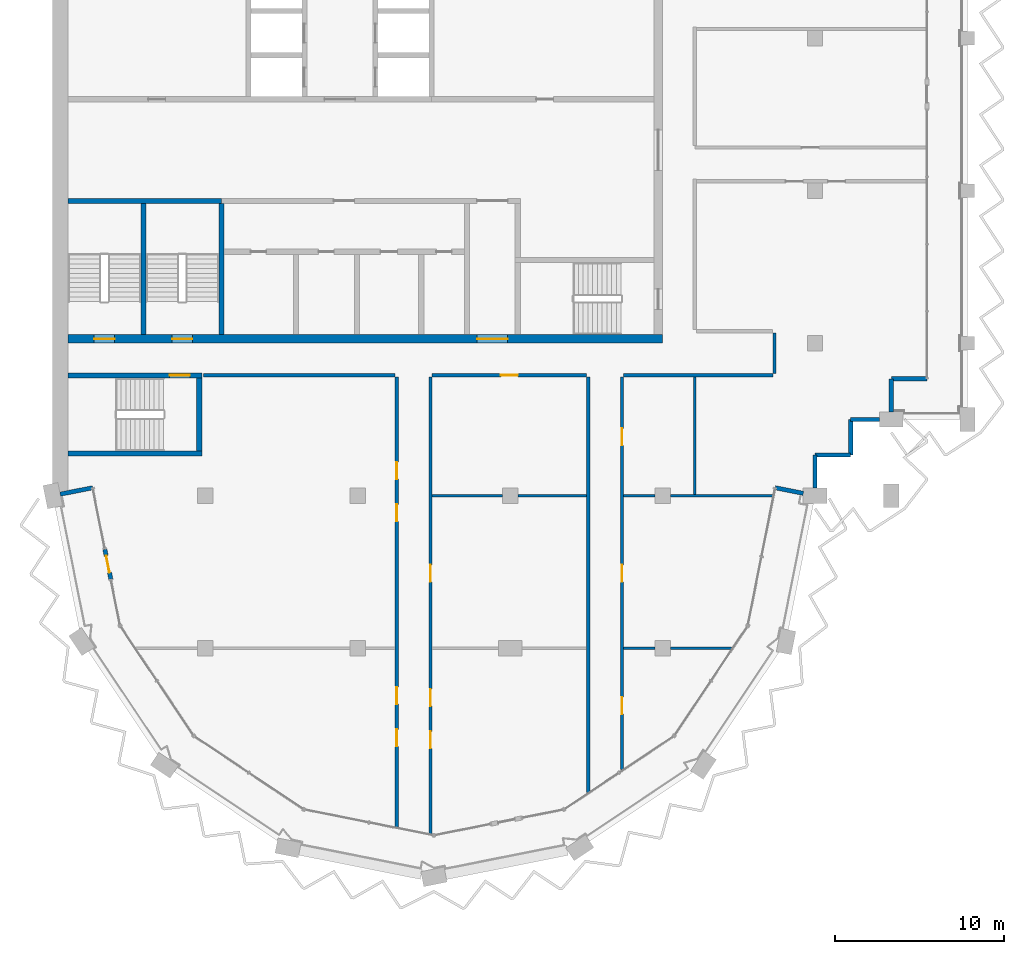
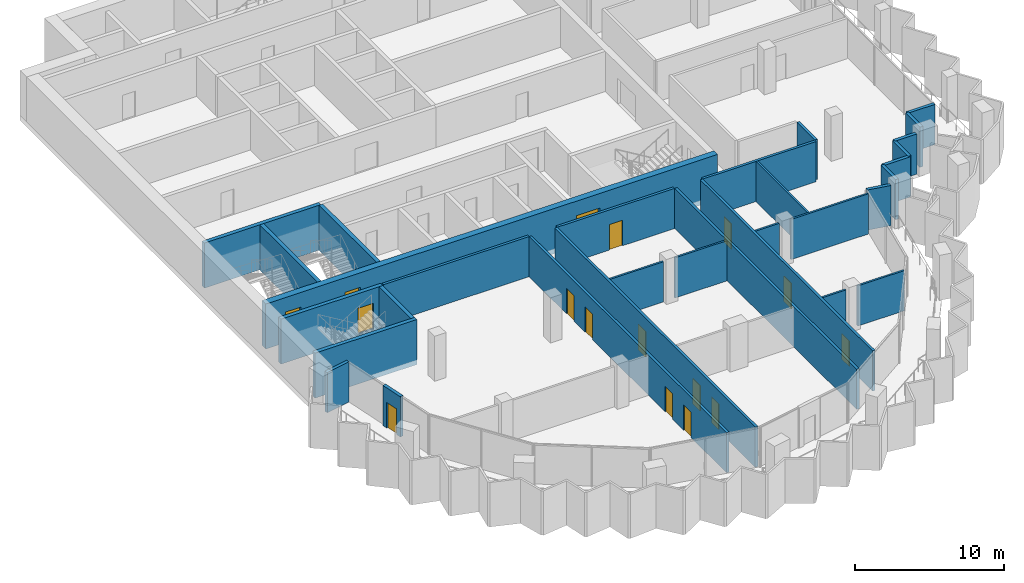
# One storey, part 6 of 13: 31 walls, 16 doors, 16 openings.
"""IFC4 building model written with IfcOpenShell, lengths in metres."""

from ifc_helpers import new_model, si_unit, direction, frame, frame_2d, origin, place, context, subcontext, project, spatial, rectangle, extrude, material, layer, layer_set, type_object, element, fill, save


model = new_model("IFC4")

# Units and contexts
model_context = context("Model", 3, precision=1e-05, world=origin(), true_north=direction((0.0, 1.0)))
body_context = subcontext(model_context, "Body", "Model", "MODEL_VIEW")
ifc_project = project(units=[si_unit("LENGTHUNIT", "METRE"), si_unit("AREAUNIT", "SQUARE_METRE"), si_unit("VOLUMEUNIT", "CUBIC_METRE"), si_unit("PLANEANGLEUNIT", "RADIAN"), si_unit("MASSUNIT", "GRAM", prefix="KILO")], contexts=[model_context])

# Site, building, storey
site_placement = place(None, origin())
site = spatial("IfcSite", under=ifc_project, at=site_placement, CompositionType="ELEMENT")
building_placement = place(site_placement, origin())
building = spatial("IfcBuilding", under=site, at=building_placement, Name="Hunhe Ridgeline Campus", CompositionType="ELEMENT")
storey_placement = place(building_placement, frame((0.0, 0.0, 280.800048828125)))
storey = spatial("IfcBuildingStorey", under=building, at=storey_placement, Name="L72", CompositionType="ELEMENT", Elevation=280.800048828125)

# Wall, openings, doors
ifc_material_1 = material(Name="Concrete C50", Category="concrete")
ifc_layer_1 = layer(ifc_material_1, 0.5)
ifc_layer_set_1 = layer_set([ifc_layer_1], Name="Core wall 500 reinforced concrete C50")
wall_type_1 = type_object("IfcWallType", Name="Core wall 500 reinforced concrete C50", PredefinedType="SOLIDWALL", material=ifc_layer_set_1)
wall_1_placement = place(storey_placement, frame((0.89990234375, 63.25, -0.400146484375), z_axis=(0.0, 0.0, 1.0), x_axis=(1.0, 0.0, 0.0)))
wall_1 = element("IfcWall", 1, at=wall_1_placement, inside=storey, type_object=wall_type_1, Name="L72 core wall 3", PredefinedType="SOLIDWALL", context=body_context, shape_type="SweptSolid", body=[
    extrude(rectangle(XDim=35.10009765625, YDim=0.5, at=frame_2d((17.550048828125, 0.0))), origin(), (0.0, 0.0, 1.0), 3.7001953125),
])
opening_1_placement = place(wall_1_placement, frame((24.14990234375, 0.0, 0.39990234375)))
opening_1 = element("IfcOpeningElement", 2, at=opening_1_placement, cuts=wall_1, Name="Opening CD6", PredefinedType="OPENING", context=body_context, shape_type="SweptSolid", body=[
    extrude(rectangle(XDim=1.800048828125, YDim=2.10009765625, at=frame_2d((0.89990234375, 1.050048828125))), frame((0.0, 0.25, 0.0), z_axis=(0.0, -1.0, 0.0), x_axis=(1.0, 0.0, 0.0)), (0.0, 0.0, 1.0), 0.5),
])
opening_2_placement = place(wall_1_placement, frame((1.550048828125, 0.0, 0.39990234375)))
opening_2 = element("IfcOpeningElement", 3, at=opening_2_placement, cuts=wall_1, Name="Opening CD13", PredefinedType="OPENING", context=body_context, shape_type="SweptSolid", body=[
    extrude(rectangle(XDim=1.199951171875, YDim=2.10009765625, at=frame_2d((0.60009765625, 1.050048828125))), frame((0.0, 0.25, 0.0), z_axis=(0.0, -1.0, 0.0), x_axis=(1.0, 0.0, 0.0)), (0.0, 0.0, 1.0), 0.5),
])
opening_3_placement = place(wall_1_placement, frame((6.14990234375, 0.0, 0.39990234375)))
opening_3 = element("IfcOpeningElement", 4, at=opening_3_placement, cuts=wall_1, Name="Opening CD14", PredefinedType="OPENING", context=body_context, shape_type="SweptSolid", body=[
    extrude(rectangle(XDim=1.199951171875, YDim=2.10009765625, at=frame_2d((0.60009765625, 1.050048828125))), frame((0.0, 0.25, 0.0), z_axis=(0.0, -1.0, 0.0), x_axis=(1.0, 0.0, 0.0)), (0.0, 0.0, 1.0), 0.5),
])
ifc_material_2 = material(Name="Anodised aluminium and glass", Category="aluminium")
door_type_1 = type_object("IfcDoorType", Name="Glazed double door 1800x2100", OperationType="DOUBLE_DOOR_SINGLE_SWING", PredefinedType="DOOR", material=ifc_material_2)
door_1_placement = place(opening_1_placement, frame((1.800048828125, 0.0, 0.0), z_axis=(0.0, 0.0, 1.0), x_axis=(-1.0, 0.0, 0.0)))
door_1 = element("IfcDoor", 5, at=door_1_placement, inside=storey, type_object=door_type_1, Name="L72 door VEST-FLOOR", OperationType="DOUBLE_DOOR_SINGLE_SWING", OverallHeight=2.10009765625, OverallWidth=1.800048828125, PredefinedType="DOOR", context=body_context, shape_type="SweptSolid", body=[
    extrude(rectangle(XDim=1.800048828125, YDim=2.10009765625, at=frame_2d((0.89990234375, 1.050048828125))), frame((0.0, 0.02490234375, 0.0), z_axis=(0.0, -1.0, 0.0), x_axis=(1.0, 0.0, 0.0)), (0.0, 0.0, 1.0), 0.050048828125),
])
fill(opening_1, door_1)
ifc_material_3 = material(Name="Hollow metal fire door leaf")
door_type_2 = type_object("IfcDoorType", Name="Stair door 1200x2100 FD60", OperationType="SINGLE_SWING_LEFT", PredefinedType="DOOR", material=ifc_material_3)
door_2_placement = place(opening_2_placement, frame((1.199951171875, 0.0, 0.0), z_axis=(0.0, 0.0, 1.0), x_axis=(-1.0, 0.0, 0.0)))
door_2 = element("IfcDoor", 6, at=door_2_placement, inside=storey, type_object=door_type_2, Name="L72 door S3", OperationType="SINGLE_SWING_LEFT", OverallHeight=2.10009765625, OverallWidth=1.199951171875, PredefinedType="DOOR", context=body_context, shape_type="SweptSolid", body=[
    extrude(rectangle(XDim=1.199951171875, YDim=2.10009765625, at=frame_2d((0.60009765625, 1.050048828125))), frame((0.0, 0.02490234375, 0.0), z_axis=(0.0, -1.0, 0.0), x_axis=(1.0, 0.0, 0.0)), (0.0, 0.0, 1.0), 0.050048828125),
])
fill(opening_2, door_2)
door_3_placement = place(opening_3_placement, frame((1.199951171875, 0.0, 0.0), z_axis=(0.0, 0.0, 1.0), x_axis=(-1.0, 0.0, 0.0)))
door_3 = element("IfcDoor", 7, at=door_3_placement, inside=storey, type_object=door_type_2, Name="L72 door S4", OperationType="SINGLE_SWING_RIGHT", OverallHeight=2.10009765625, OverallWidth=1.199951171875, PredefinedType="DOOR", context=body_context, shape_type="SweptSolid", body=[
    extrude(rectangle(XDim=1.199951171875, YDim=2.10009765625, at=frame_2d((0.60009765625, 1.050048828125))), frame((0.0, 0.02490234375, 0.0), z_axis=(0.0, -1.0, 0.0), x_axis=(1.0, 0.0, 0.0)), (0.0, 0.0, 1.0), 0.050048828125),
])
fill(opening_3, door_3)

# Walls
ifc_material_4 = material(Name="Concrete C30", Category="concrete")
ifc_layer_2 = layer(ifc_material_4, 0.25)
ifc_layer_set_2 = layer_set([ifc_layer_2], Name="Corner return wall 250 Concrete C30")
wall_type_2 = type_object("IfcWallType", Name="Corner return wall 250 Concrete C30", PredefinedType="SOLIDWALL", material=ifc_layer_set_2)
wall_2_placement = place(storey_placement, frame((0.441162109375, 54.088623046875, 0.0), z_axis=(0.0, 0.0, 1.0), x_axis=(0.980834936053, 0.194840519958, 0.0)))
element("IfcWall", 8, at=wall_2_placement, inside=storey, type_object=wall_type_2, Name="Corner return wall 1", PredefinedType="SOLIDWALL", context=body_context, shape_type="SweptSolid", body=[
    extrude(rectangle(XDim=1.950927734375, YDim=0.25, at=frame_2d((0.9755859375, 0.0))), origin(), (0.0, 0.0, 1.0), 3.300048828125),
])
wall_3_placement = place(storey_placement, frame((42.645263671875, 54.46875, 0.0), z_axis=(0.0, 0.0, 1.0), x_axis=(0.980846923473, -0.194780165092, 0.0)))
element("IfcWall", 9, at=wall_3_placement, inside=storey, type_object=wall_type_2, Name="Corner return wall 2", PredefinedType="SOLIDWALL", context=body_context, shape_type="SweptSolid", body=[
    extrude(rectangle(XDim=1.68701171875, YDim=0.25, at=frame_2d((0.843505859375, 0.0))), origin(), (0.0, 0.0, 1.0), 3.300048828125),
])
wall_4_placement = place(storey_placement, frame((44.9990234375, 54.449951171875, 0.0), z_axis=(0.0, 0.0, 1.0), x_axis=(0.000125156445, 0.999999992168, 0.0)))
element("IfcWall", 10, at=wall_4_placement, inside=storey, type_object=wall_type_2, Name="Corner return wall 3", PredefinedType="SOLIDWALL", context=body_context, shape_type="SweptSolid", body=[
    extrude(rectangle(XDim=1.95068359375, YDim=0.25, at=frame_2d((0.975341796875, 0.0))), origin(), (0.0, 0.0, 1.0), 3.300048828125),
])
wall_5_placement = place(storey_placement, frame((44.999267578125, 56.400634765625, 0.0), z_axis=(0.0, 0.0, 1.0), x_axis=(0.999999993241, 0.00011626555, 0.0)))
element("IfcWall", 11, at=wall_5_placement, inside=storey, type_object=wall_type_2, Name="Corner return wall 4", PredefinedType="SOLIDWALL", context=body_context, shape_type="SweptSolid", body=[
    extrude(rectangle(XDim=2.099853515625, YDim=0.25, at=frame_2d((1.0498046875, 0.0))), origin(), (0.0, 0.0, 1.0), 3.300048828125),
])
wall_6_placement = place(storey_placement, frame((47.09912109375, 56.40087890625, 0.0), z_axis=(0.0, 0.0, 1.0), x_axis=(0.000232504063, 0.999999972971, 0.0)))
element("IfcWall", 12, at=wall_6_placement, inside=storey, type_object=wall_type_2, Name="Corner return wall 5", PredefinedType="SOLIDWALL", context=body_context, shape_type="SweptSolid", body=[
    extrude(rectangle(XDim=2.10009765625, YDim=0.25, at=frame_2d((1.050048828125, 0.0))), origin(), (0.0, 0.0, 1.0), 3.300048828125),
])
wall_7_placement = place(storey_placement, frame((47.099609375, 58.5009765625, 0.0), z_axis=(0.0, 0.0, 1.0), x_axis=(1.0, 0.0, 0.0)))
element("IfcWall", 13, at=wall_7_placement, inside=storey, type_object=wall_type_2, Name="Corner return wall 6", PredefinedType="SOLIDWALL", context=body_context, shape_type="SweptSolid", body=[
    extrude(rectangle(XDim=1.700439453125, YDim=0.25, at=frame_2d((0.85009765625, 0.0))), origin(), (0.0, 0.0, 1.0), 3.300048828125),
])
wall_8_placement = place(storey_placement, frame((49.4990234375, 58.949951171875, 0.0), z_axis=(0.0, 0.0, 1.0), x_axis=(0.000250281559, 0.99999996868, 0.0)))
element("IfcWall", 14, at=wall_8_placement, inside=storey, type_object=wall_type_2, Name="Corner return wall 7", PredefinedType="SOLIDWALL", context=body_context, shape_type="SweptSolid", body=[
    extrude(rectangle(XDim=1.950927734375, YDim=0.25, at=frame_2d((0.9755859375, 0.0))), origin(), (0.0, 0.0, 1.0), 3.300048828125),
])
wall_9_placement = place(storey_placement, frame((49.49951171875, 60.90087890625, 0.0), z_axis=(0.0, 0.0, 1.0), x_axis=(1.0, 0.0, 0.0)))
element("IfcWall", 15, at=wall_9_placement, inside=storey, type_object=wall_type_2, Name="Corner return wall 8", PredefinedType="SOLIDWALL", context=body_context, shape_type="SweptSolid", body=[
    extrude(rectangle(XDim=2.099609375, YDim=0.25, at=frame_2d((1.0498046875, 0.0))), origin(), (0.0, 0.0, 1.0), 3.300048828125),
])
ifc_material_5 = material(Name="Gypsum board partition")
ifc_layer_3 = layer(ifc_material_5, 0.199951171875)
ifc_layer_set_3 = layer_set([ifc_layer_3], Name="Corridor partition 200 gypsum board on steel studs")
wall_type_3 = type_object("IfcWallType", Name="Corridor partition 200 gypsum board on steel studs", PredefinedType="PARTITIONING", material=ifc_layer_set_3)
wall_10_placement = place(storey_placement, frame((20.199951171875, 61.10009765625, 0.0), z_axis=(0.0, 0.0, 1.0), x_axis=(-1.0, 0.0, 0.0)))
element("IfcWall", 16, at=wall_10_placement, inside=storey, type_object=wall_type_3, Name="F-L72-wall-012", PredefinedType="PARTITIONING", context=body_context, shape_type="SweptSolid", body=[
    extrude(rectangle(XDim=11.2958984375, YDim=0.199951171875, at=frame_2d((5.64794921875, 0.0))), origin(), (0.0, 0.0, 1.0), 3.300048828125),
])

# Wall, opening, door
wall_11_placement = place(storey_placement, frame((31.5, 61.10009765625, 0.0), z_axis=(0.0, 0.0, 1.0), x_axis=(-1.0, 0.0, 0.0)))
wall_11 = element("IfcWall", 17, at=wall_11_placement, inside=storey, type_object=wall_type_3, Name="F-L72-wall-013", PredefinedType="PARTITIONING", context=body_context, shape_type="SweptSolid", body=[
    extrude(rectangle(XDim=9.10009765625, YDim=0.199951171875, at=frame_2d((4.550048828125, 0.0))), origin(), (0.0, 0.0, 1.0), 3.300048828125),
])
opening_4_placement = place(wall_11_placement, frame((4.050048828125, 0.0, 0.0)))
opening_4 = element("IfcOpeningElement", 18, at=opening_4_placement, cuts=wall_11, Name="Opening RD1-011", PredefinedType="OPENING", context=body_context, shape_type="SweptSolid", body=[
    extrude(rectangle(XDim=1.0, YDim=2.10009765625, at=frame_2d((0.5, 1.050048828125))), frame((0.0, 0.10009765625, 0.0), z_axis=(0.0, -1.0, 0.0), x_axis=(1.0, 0.0, 0.0)), (0.0, 0.0, 1.0), 0.199951171875),
])
ifc_material_6 = material(Name="Timber door leaf", Category="wood")
door_type_3 = type_object("IfcDoorType", Name="Single fire door 1000x2100 timber FD60", OperationType="NOTDEFINED", PredefinedType="DOOR", material=ifc_material_6)
door_4_placement = place(opening_4_placement, origin())
door_4 = element("IfcDoor", 19, at=door_4_placement, inside=storey, type_object=door_type_3, Name="F-L72-door-011", OperationType="SINGLE_SWING_LEFT", OverallHeight=2.10009765625, OverallWidth=1.0, PredefinedType="DOOR", context=body_context, shape_type="SweptSolid", body=[
    extrude(rectangle(XDim=1.0, YDim=2.10009765625, at=frame_2d((0.5, 1.050048828125))), frame((0.0, 0.02490234375, 0.0), z_axis=(0.0, -1.0, 0.0), x_axis=(1.0, 0.0, 0.0)), (0.0, 0.0, 1.0), 0.050048828125),
])
fill(opening_4, door_4)

# Wall
wall_12_placement = place(storey_placement, frame((42.5, 61.10009765625, 0.0), z_axis=(0.0, 0.0, 1.0), x_axis=(-1.0, 0.0, 0.0)))
element("IfcWall", 20, at=wall_12_placement, inside=storey, type_object=wall_type_3, Name="F-L72-wall-014", PredefinedType="PARTITIONING", context=body_context, shape_type="SweptSolid", body=[
    extrude(rectangle(XDim=8.800048828125, YDim=0.199951171875, at=frame_2d((4.39990234375, 0.0))), origin(), (0.0, 0.0, 1.0), 3.300048828125),
])

# Wall, openings, doors
wall_13_placement = place(storey_placement, frame((20.300048828125, 34.440673828125, 0.0), z_axis=(0.0, 0.0, 1.0), x_axis=(0.0, 1.0, 0.0)))
wall_13 = element("IfcWall", 21, at=wall_13_placement, inside=storey, type_object=wall_type_3, Name="F-L72-wall-021", PredefinedType="PARTITIONING", context=body_context, shape_type="SweptSolid", body=[
    extrude(rectangle(XDim=26.559326171875, YDim=0.199951171875, at=frame_2d((13.27978515625, 0.0))), origin(), (0.0, 0.0, 1.0), 3.300048828125),
])
opening_5_placement = place(wall_13_placement, frame((4.76171875, 0.0, 0.0)))
opening_5 = element("IfcOpeningElement", 22, at=opening_5_placement, cuts=wall_13, Name="Opening RD1-002", PredefinedType="OPENING", context=body_context, shape_type="SweptSolid", body=[
    extrude(rectangle(XDim=1.0, YDim=2.10009765625, at=frame_2d((0.5, 1.050048828125))), frame((0.0, 0.10009765625, 0.0), z_axis=(0.0, -1.0, 0.0), x_axis=(1.0, 0.0, 0.0)), (0.0, 0.0, 1.0), 0.199951171875),
])
opening_6_placement = place(wall_13_placement, frame((7.26171875, 0.0, 0.0)))
opening_6 = element("IfcOpeningElement", 23, at=opening_6_placement, cuts=wall_13, Name="Opening RD1-005", PredefinedType="OPENING", context=body_context, shape_type="SweptSolid", body=[
    extrude(rectangle(XDim=1.0, YDim=2.10009765625, at=frame_2d((0.5, 1.050048828125))), frame((0.0, 0.10009765625, 0.0), z_axis=(0.0, -1.0, 0.0), x_axis=(1.0, 0.0, 0.0)), (0.0, 0.0, 1.0), 0.199951171875),
])
opening_7_placement = place(wall_13_placement, frame((18.04150390625, 0.0, 0.0)))
opening_7 = element("IfcOpeningElement", 24, at=opening_7_placement, cuts=wall_13, Name="Opening RD1-008", PredefinedType="OPENING", context=body_context, shape_type="SweptSolid", body=[
    extrude(rectangle(XDim=1.0, YDim=2.10009765625, at=frame_2d((0.5, 1.050048828125))), frame((0.0, 0.10009765625, 0.0), z_axis=(0.0, -1.0, 0.0), x_axis=(1.0, 0.0, 0.0)), (0.0, 0.0, 1.0), 0.199951171875),
])
opening_8_placement = place(wall_13_placement, frame((20.54150390625, 0.0, 0.0)))
opening_8 = element("IfcOpeningElement", 25, at=opening_8_placement, cuts=wall_13, Name="Opening RD1-009", PredefinedType="OPENING", context=body_context, shape_type="SweptSolid", body=[
    extrude(rectangle(XDim=1.0, YDim=2.10009765625, at=frame_2d((0.5, 1.050048828125))), frame((0.0, 0.10009765625, 0.0), z_axis=(0.0, -1.0, 0.0), x_axis=(1.0, 0.0, 0.0)), (0.0, 0.0, 1.0), 0.199951171875),
])
door_5_placement = place(opening_5_placement, frame((1.0, 0.0, 0.0), z_axis=(0.0, 0.0, 1.0), x_axis=(-1.0, 0.0, 0.0)))
door_5 = element("IfcDoor", 26, at=door_5_placement, inside=storey, type_object=door_type_3, Name="F-L72-door-002", OperationType="SINGLE_SWING_RIGHT", OverallHeight=2.10009765625, OverallWidth=1.0, PredefinedType="DOOR", context=body_context, shape_type="SweptSolid", body=[
    extrude(rectangle(XDim=1.0, YDim=2.10009765625, at=frame_2d((0.5, 1.050048828125))), frame((0.0, 0.02490234375, 0.0), z_axis=(0.0, -1.0, 0.0), x_axis=(1.0, 0.0, 0.0)), (0.0, 0.0, 1.0), 0.050048828125),
])
fill(opening_5, door_5)
door_6_placement = place(opening_6_placement, frame((1.0, 0.0, 0.0), z_axis=(0.0, 0.0, 1.0), x_axis=(-1.0, 0.0, 0.0)))
door_6 = element("IfcDoor", 27, at=door_6_placement, inside=storey, type_object=door_type_3, Name="F-L72-door-005", OperationType="SINGLE_SWING_LEFT", OverallHeight=2.10009765625, OverallWidth=1.0, PredefinedType="DOOR", context=body_context, shape_type="SweptSolid", body=[
    extrude(rectangle(XDim=1.0, YDim=2.10009765625, at=frame_2d((0.5, 1.050048828125))), frame((0.0, 0.02490234375, 0.0), z_axis=(0.0, -1.0, 0.0), x_axis=(1.0, 0.0, 0.0)), (0.0, 0.0, 1.0), 0.050048828125),
])
fill(opening_6, door_6)
door_7_placement = place(opening_7_placement, frame((1.0, 0.0, 0.0), z_axis=(0.0, 0.0, 1.0), x_axis=(-1.0, 0.0, 0.0)))
door_7 = element("IfcDoor", 28, at=door_7_placement, inside=storey, type_object=door_type_3, Name="F-L72-door-008", OperationType="SINGLE_SWING_LEFT", OverallHeight=2.10009765625, OverallWidth=1.0, PredefinedType="DOOR", context=body_context, shape_type="SweptSolid", body=[
    extrude(rectangle(XDim=1.0, YDim=2.10009765625, at=frame_2d((0.5, 1.050048828125))), frame((0.0, 0.02490234375, 0.0), z_axis=(0.0, -1.0, 0.0), x_axis=(1.0, 0.0, 0.0)), (0.0, 0.0, 1.0), 0.050048828125),
])
fill(opening_7, door_7)
door_8_placement = place(opening_8_placement, frame((1.0, 0.0, 0.0), z_axis=(0.0, 0.0, 1.0), x_axis=(-1.0, 0.0, 0.0)))
door_8 = element("IfcDoor", 29, at=door_8_placement, inside=storey, type_object=door_type_3, Name="F-L72-door-009", OperationType="SINGLE_SWING_LEFT", OverallHeight=2.10009765625, OverallWidth=1.0, PredefinedType="DOOR", context=body_context, shape_type="SweptSolid", body=[
    extrude(rectangle(XDim=1.0, YDim=2.10009765625, at=frame_2d((0.5, 1.050048828125))), frame((0.0, 0.02490234375, 0.0), z_axis=(0.0, -1.0, 0.0), x_axis=(1.0, 0.0, 0.0)), (0.0, 0.0, 1.0), 0.050048828125),
])
fill(opening_8, door_8)

wall_14_placement = place(storey_placement, frame((22.300048828125, 61.0, 0.0), z_axis=(0.0, 0.0, 1.0), x_axis=(0.0, -1.0, 0.0)))
wall_14 = element("IfcWall", 30, at=wall_14_placement, inside=storey, type_object=wall_type_3, Name="F-L72-wall-022", PredefinedType="PARTITIONING", context=body_context, shape_type="SweptSolid", body=[
    extrude(rectangle(XDim=26.95703125, YDim=0.199951171875, at=frame_2d((13.478515625, 0.0))), origin(), (0.0, 0.0, 1.0), 3.300048828125),
])
opening_9_placement = place(wall_14_placement, frame((20.91455078125, 0.0, 0.0)))
opening_9 = element("IfcOpeningElement", 31, at=opening_9_placement, cuts=wall_14, Name="Opening RD1-001", PredefinedType="OPENING", context=body_context, shape_type="SweptSolid", body=[
    extrude(rectangle(XDim=1.0, YDim=2.10009765625, at=frame_2d((0.5, 1.050048828125))), frame((0.0, 0.10009765625, 0.0), z_axis=(0.0, -1.0, 0.0), x_axis=(1.0, 0.0, 0.0)), (0.0, 0.0, 1.0), 0.199951171875),
])
opening_10_placement = place(wall_14_placement, frame((18.41455078125, 0.0, 0.0)))
opening_10 = element("IfcOpeningElement", 32, at=opening_10_placement, cuts=wall_14, Name="Opening RD1-004", PredefinedType="OPENING", context=body_context, shape_type="SweptSolid", body=[
    extrude(rectangle(XDim=1.0, YDim=2.10009765625, at=frame_2d((0.5, 1.050048828125))), frame((0.0, 0.10009765625, 0.0), z_axis=(0.0, -1.0, 0.0), x_axis=(1.0, 0.0, 0.0)), (0.0, 0.0, 1.0), 0.199951171875),
])
opening_11_placement = place(wall_14_placement, frame((11.089111328125, 0.0, 0.0)))
opening_11 = element("IfcOpeningElement", 33, at=opening_11_placement, cuts=wall_14, Name="Opening RD1-006", PredefinedType="OPENING", context=body_context, shape_type="SweptSolid", body=[
    extrude(rectangle(XDim=1.0, YDim=2.10009765625, at=frame_2d((0.5, 1.050048828125))), frame((0.0, 0.10009765625, 0.0), z_axis=(0.0, -1.0, 0.0), x_axis=(1.0, 0.0, 0.0)), (0.0, 0.0, 1.0), 0.199951171875),
])
door_9_placement = place(opening_9_placement, frame((1.0, 0.0, 0.0), z_axis=(0.0, 0.0, 1.0), x_axis=(-1.0, 0.0, 0.0)))
door_9 = element("IfcDoor", 34, at=door_9_placement, inside=storey, type_object=door_type_3, Name="F-L72-door-001", OperationType="SINGLE_SWING_RIGHT", OverallHeight=2.10009765625, OverallWidth=1.0, PredefinedType="DOOR", context=body_context, shape_type="SweptSolid", body=[
    extrude(rectangle(XDim=1.0, YDim=2.10009765625, at=frame_2d((0.5, 1.050048828125))), frame((0.0, 0.02490234375, 0.0), z_axis=(0.0, -1.0, 0.0), x_axis=(1.0, 0.0, 0.0)), (0.0, 0.0, 1.0), 0.050048828125),
])
fill(opening_9, door_9)
door_10_placement = place(opening_10_placement, frame((1.0, 0.0, 0.0), z_axis=(0.0, 0.0, 1.0), x_axis=(-1.0, 0.0, 0.0)))
door_10 = element("IfcDoor", 35, at=door_10_placement, inside=storey, type_object=door_type_3, Name="F-L72-door-004", OperationType="SINGLE_SWING_RIGHT", OverallHeight=2.10009765625, OverallWidth=1.0, PredefinedType="DOOR", context=body_context, shape_type="SweptSolid", body=[
    extrude(rectangle(XDim=1.0, YDim=2.10009765625, at=frame_2d((0.5, 1.050048828125))), frame((0.0, 0.02490234375, 0.0), z_axis=(0.0, -1.0, 0.0), x_axis=(1.0, 0.0, 0.0)), (0.0, 0.0, 1.0), 0.050048828125),
])
fill(opening_10, door_10)
door_11_placement = place(opening_11_placement, origin())
door_11 = element("IfcDoor", 36, at=door_11_placement, inside=storey, type_object=door_type_3, Name="F-L72-door-006", OperationType="SINGLE_SWING_RIGHT", OverallHeight=2.10009765625, OverallWidth=1.0, PredefinedType="DOOR", context=body_context, shape_type="SweptSolid", body=[
    extrude(rectangle(XDim=1.0, YDim=2.10009765625, at=frame_2d((0.5, 1.050048828125))), frame((0.0, 0.02490234375, 0.0), z_axis=(0.0, -1.0, 0.0), x_axis=(1.0, 0.0, 0.0)), (0.0, 0.0, 1.0), 0.050048828125),
])
fill(opening_11, door_11)

# Wall
wall_15_placement = place(storey_placement, frame((31.60009765625, 36.492431640625, 0.0), z_axis=(0.0, 0.0, 1.0), x_axis=(0.0, 1.0, 0.0)))
element("IfcWall", 37, at=wall_15_placement, inside=storey, type_object=wall_type_3, Name="F-L72-wall-023", PredefinedType="PARTITIONING", context=body_context, shape_type="SweptSolid", body=[
    extrude(rectangle(XDim=24.507568359375, YDim=0.199951171875, at=frame_2d((12.25390625, 0.0))), origin(), (0.0, 0.0, 1.0), 3.300048828125),
])

# Wall, openings, doors
wall_16_placement = place(storey_placement, frame((33.60009765625, 61.0, 0.0), z_axis=(0.0, 0.0, 1.0), x_axis=(0.0, -1.0, 0.0)))
wall_16 = element("IfcWall", 38, at=wall_16_placement, inside=storey, type_object=wall_type_3, Name="F-L72-wall-024", PredefinedType="PARTITIONING", context=body_context, shape_type="SweptSolid", body=[
    extrude(rectangle(XDim=23.171142578125, YDim=0.199951171875, at=frame_2d((11.58544921875, 0.0))), origin(), (0.0, 0.0, 1.0), 3.300048828125),
])
opening_12_placement = place(wall_16_placement, frame((18.893310546875, 0.0, 0.0)))
opening_12 = element("IfcOpeningElement", 39, at=opening_12_placement, cuts=wall_16, Name="Opening RD1-003", PredefinedType="OPENING", context=body_context, shape_type="SweptSolid", body=[
    extrude(rectangle(XDim=1.0, YDim=2.10009765625, at=frame_2d((0.5, 1.050048828125))), frame((0.0, 0.10009765625, 0.0), z_axis=(0.0, -1.0, 0.0), x_axis=(1.0, 0.0, 0.0)), (0.0, 0.0, 1.0), 0.199951171875),
])
opening_13_placement = place(wall_16_placement, frame((11.085693359375, 0.0, 0.0)))
opening_13 = element("IfcOpeningElement", 40, at=opening_13_placement, cuts=wall_16, Name="Opening RD1-007", PredefinedType="OPENING", context=body_context, shape_type="SweptSolid", body=[
    extrude(rectangle(XDim=1.0, YDim=2.10009765625, at=frame_2d((0.5, 1.050048828125))), frame((0.0, 0.10009765625, 0.0), z_axis=(0.0, -1.0, 0.0), x_axis=(1.0, 0.0, 0.0)), (0.0, 0.0, 1.0), 0.199951171875),
])
opening_14_placement = place(wall_16_placement, frame((3.02587890625, 0.0, 0.0)))
opening_14 = element("IfcOpeningElement", 41, at=opening_14_placement, cuts=wall_16, Name="Opening RD1-010", PredefinedType="OPENING", context=body_context, shape_type="SweptSolid", body=[
    extrude(rectangle(XDim=1.0, YDim=2.10009765625, at=frame_2d((0.5, 1.050048828125))), frame((0.0, 0.10009765625, 0.0), z_axis=(0.0, -1.0, 0.0), x_axis=(1.0, 0.0, 0.0)), (0.0, 0.0, 1.0), 0.199951171875),
])
door_12_placement = place(opening_12_placement, origin())
door_12 = element("IfcDoor", 42, at=door_12_placement, inside=storey, type_object=door_type_3, Name="F-L72-door-003", OperationType="SINGLE_SWING_LEFT", OverallHeight=2.10009765625, OverallWidth=1.0, PredefinedType="DOOR", context=body_context, shape_type="SweptSolid", body=[
    extrude(rectangle(XDim=1.0, YDim=2.10009765625, at=frame_2d((0.5, 1.050048828125))), frame((0.0, 0.02490234375, 0.0), z_axis=(0.0, -1.0, 0.0), x_axis=(1.0, 0.0, 0.0)), (0.0, 0.0, 1.0), 0.050048828125),
])
fill(opening_12, door_12)
door_13_placement = place(opening_13_placement, origin())
door_13 = element("IfcDoor", 43, at=door_13_placement, inside=storey, type_object=door_type_3, Name="F-L72-door-007", OperationType="SINGLE_SWING_LEFT", OverallHeight=2.10009765625, OverallWidth=1.0, PredefinedType="DOOR", context=body_context, shape_type="SweptSolid", body=[
    extrude(rectangle(XDim=1.0, YDim=2.10009765625, at=frame_2d((0.5, 1.050048828125))), frame((0.0, 0.02490234375, 0.0), z_axis=(0.0, -1.0, 0.0), x_axis=(1.0, 0.0, 0.0)), (0.0, 0.0, 1.0), 0.050048828125),
])
fill(opening_13, door_13)
door_14_placement = place(opening_14_placement, origin())
door_14 = element("IfcDoor", 44, at=door_14_placement, inside=storey, type_object=door_type_3, Name="F-L72-door-010", OperationType="SINGLE_SWING_LEFT", OverallHeight=2.10009765625, OverallWidth=1.0, PredefinedType="DOOR", context=body_context, shape_type="SweptSolid", body=[
    extrude(rectangle(XDim=1.0, YDim=2.10009765625, at=frame_2d((0.5, 1.050048828125))), frame((0.0, 0.02490234375, 0.0), z_axis=(0.0, -1.0, 0.0), x_axis=(1.0, 0.0, 0.0)), (0.0, 0.0, 1.0), 0.050048828125),
])
fill(opening_14, door_14)

# Wall
wall_17_placement = place(storey_placement, frame((42.60009765625, 63.60009765625, 0.0), z_axis=(0.0, 0.0, 1.0), x_axis=(0.0, -1.0, 0.0)))
element("IfcWall", 45, at=wall_17_placement, inside=storey, type_object=wall_type_3, Name="F-L72-wall-030", PredefinedType="PARTITIONING", context=body_context, shape_type="SweptSolid", body=[
    extrude(rectangle(XDim=2.400146484375, YDim=0.199951171875, at=frame_2d((1.2001953125, 0.0))), origin(), (0.0, 0.0, 1.0), 3.300048828125),
])

# Wall, opening, door
ifc_layer_4 = layer(ifc_material_4, 0.25)
ifc_layer_set_4 = layer_set([ifc_layer_4], Name="Loggia door pier wall 250 Concrete C30")
wall_type_4 = type_object("IfcWallType", Name="Loggia door pier wall 250 Concrete C30", PredefinedType="SOLIDWALL", material=ifc_layer_set_4)
wall_18_placement = place(storey_placement, frame((3.076904296875, 50.8388671875, 0.0), z_axis=(0.0, 0.0, 1.0), x_axis=(0.195046569833, -0.980793982239, 0.0)))
wall_18 = element("IfcWall", 46, at=wall_18_placement, inside=storey, type_object=wall_type_4, Name="Loggia door pier 1", PredefinedType="SOLIDWALL", context=body_context, shape_type="SweptSolid", body=[
    extrude(rectangle(XDim=1.800048828125, YDim=0.25, at=frame_2d((0.89990234375, 0.0))), origin(), (0.0, 0.0, 1.0), 3.300048828125),
])
opening_15_placement = place(wall_18_placement, frame((0.39990234375, 0.0, 0.0)))
opening_15 = element("IfcOpeningElement", 47, at=opening_15_placement, cuts=wall_18, Name="Opening BD601", PredefinedType="OPENING", context=body_context, shape_type="SweptSolid", body=[
    extrude(rectangle(XDim=1.0, YDim=2.10009765625, at=frame_2d((0.5, 1.050048828125))), frame((0.0, 0.125, 0.0), z_axis=(0.0, -1.0, 0.0), x_axis=(1.0, 0.0, 0.0)), (0.0, 0.0, 1.0), 0.25),
])
ifc_material_7 = material(Name="Aluminium 6063", Category="aluminium")
door_type_4 = type_object("IfcDoorType", Name="Loggia glazed door 1000x2100", OperationType="NOTDEFINED", PredefinedType="DOOR", material=ifc_material_7)
door_15_placement = place(opening_15_placement, frame((1.0, 0.0, 0.0), z_axis=(0.0, 0.0, 1.0), x_axis=(-1.0, 0.0, 0.0)))
door_15 = element("IfcDoor", 48, at=door_15_placement, inside=storey, type_object=door_type_4, Name="Loggia door BD601", OperationType="SINGLE_SWING_RIGHT", OverallHeight=2.10009765625, OverallWidth=1.0, PredefinedType="DOOR", context=body_context, shape_type="SweptSolid", body=[
    extrude(rectangle(XDim=1.0, YDim=2.10009765625, at=frame_2d((0.5, 1.050048828125))), frame((0.0, 0.02490234375, 0.0), z_axis=(0.0, -1.0, 0.0), x_axis=(1.0, 0.0, 0.0)), (0.0, 0.0, 1.0), 0.050048828125),
])
fill(opening_15, door_15)

# Walls
ifc_layer_5 = layer(ifc_material_5, 0.14990234375)
ifc_layer_set_5 = layer_set([ifc_layer_5], Name="Room partition 150 gypsum board on steel studs")
wall_type_5 = type_object("IfcWallType", Name="Room partition 150 gypsum board on steel studs", PredefinedType="PARTITIONING", material=ifc_layer_set_5)
wall_19_placement = place(storey_placement, frame((33.699951171875, 45.0, 0.0), z_axis=(0.0, 0.0, 1.0), x_axis=(1.0, 0.0, 0.0)))
element("IfcWall", 49, at=wall_19_placement, inside=storey, type_object=wall_type_5, Name="F-L72-wall-006", PredefinedType="PARTITIONING", context=body_context, shape_type="SweptSolid", body=[
    extrude(rectangle(XDim=1.85009765625, YDim=0.14990234375, at=frame_2d((0.925048828125, 0.0))), origin(), (0.0, 0.0, 1.0), 3.300048828125),
])
wall_20_placement = place(storey_placement, frame((36.449951171875, 45.0, 0.0), z_axis=(0.0, 0.0, 1.0), x_axis=(1.0, 0.0, 0.0)))
element("IfcWall", 50, at=wall_20_placement, inside=storey, type_object=wall_type_5, Name="F-L72-wall-007", PredefinedType="PARTITIONING", context=body_context, shape_type="SweptSolid", body=[
    extrude(rectangle(XDim=3.62451171875, YDim=0.14990234375, at=frame_2d((1.812255859375, 0.0))), origin(), (0.0, 0.0, 1.0), 3.300048828125),
])
wall_21_placement = place(storey_placement, frame((22.39990234375, 54.0, 0.0), z_axis=(0.0, 0.0, 1.0), x_axis=(1.0, 0.0, 0.0)))
element("IfcWall", 51, at=wall_21_placement, inside=storey, type_object=wall_type_5, Name="F-L72-wall-008", PredefinedType="PARTITIONING", context=body_context, shape_type="SweptSolid", body=[
    extrude(rectangle(XDim=4.150146484375, YDim=0.14990234375, at=frame_2d((2.0751953125, 0.0))), origin(), (0.0, 0.0, 1.0), 3.300048828125),
])
wall_22_placement = place(storey_placement, frame((27.449951171875, 54.0, 0.0), z_axis=(0.0, 0.0, 1.0), x_axis=(1.0, 0.0, 0.0)))
element("IfcWall", 52, at=wall_22_placement, inside=storey, type_object=wall_type_5, Name="F-L72-wall-009", PredefinedType="PARTITIONING", context=body_context, shape_type="SweptSolid", body=[
    extrude(rectangle(XDim=4.050048828125, YDim=0.14990234375, at=frame_2d((2.02490234375, 0.0))), origin(), (0.0, 0.0, 1.0), 3.300048828125),
])
wall_23_placement = place(storey_placement, frame((33.699951171875, 54.0, 0.0), z_axis=(0.0, 0.0, 1.0), x_axis=(1.0, 0.0, 0.0)))
element("IfcWall", 53, at=wall_23_placement, inside=storey, type_object=wall_type_5, Name="F-L72-wall-010", PredefinedType="PARTITIONING", context=body_context, shape_type="SweptSolid", body=[
    extrude(rectangle(XDim=1.85009765625, YDim=0.14990234375, at=frame_2d((0.925048828125, 0.0))), origin(), (0.0, 0.0, 1.0), 3.300048828125),
])
wall_24_placement = place(storey_placement, frame((36.449951171875, 54.0, 0.0), z_axis=(0.0, 0.0, 1.0), x_axis=(1.0, 0.0, 0.0)))
element("IfcWall", 54, at=wall_24_placement, inside=storey, type_object=wall_type_5, Name="F-L72-wall-011", PredefinedType="PARTITIONING", context=body_context, shape_type="SweptSolid", body=[
    extrude(rectangle(XDim=6.047119140625, YDim=0.14990234375, at=frame_2d((3.0234375, 0.0))), origin(), (0.0, 0.0, 1.0), 3.300048828125),
])
wall_25_placement = place(storey_placement, frame((37.89990234375, 61.0, 0.0), z_axis=(0.0, 0.0, 1.0), x_axis=(0.0, -1.0, 0.0)))
element("IfcWall", 55, at=wall_25_placement, inside=storey, type_object=wall_type_5, Name="F-L72-wall-025", PredefinedType="PARTITIONING", context=body_context, shape_type="SweptSolid", body=[
    extrude(rectangle(XDim=6.925048828125, YDim=0.14990234375, at=frame_2d((3.46240234375, 0.0))), origin(), (0.0, 0.0, 1.0), 3.300048828125),
])
ifc_layer_6 = layer(ifc_material_1, 0.300048828125)
ifc_layer_set_6 = layer_set([ifc_layer_6], Name="Stair wall 300 reinforced concrete C50")
wall_type_6 = type_object("IfcWallType", Name="Stair wall 300 reinforced concrete C50", PredefinedType="SOLIDWALL", material=ifc_layer_set_6)
wall_26_placement = place(storey_placement, frame((0.89990234375, 56.5, -0.400146484375), z_axis=(0.0, 0.0, 1.0), x_axis=(1.0, 0.0, 0.0)))
element("IfcWall", 56, at=wall_26_placement, inside=storey, type_object=wall_type_6, Name="L72 core wall 1", PredefinedType="SOLIDWALL", context=body_context, shape_type="SweptSolid", body=[
    extrude(rectangle(XDim=7.900146484375, YDim=0.300048828125, at=frame_2d((3.9501953125, 0.0))), origin(), (0.0, 0.0, 1.0), 3.7001953125),
])

# Wall, opening, door
wall_27_placement = place(storey_placement, frame((0.89990234375, 61.10009765625, -0.400146484375), z_axis=(0.0, 0.0, 1.0), x_axis=(1.0, 0.0, 0.0)))
wall_27 = element("IfcWall", 57, at=wall_27_placement, inside=storey, type_object=wall_type_6, Name="L72 core wall 2", PredefinedType="SOLIDWALL", context=body_context, shape_type="SweptSolid", body=[
    extrude(rectangle(XDim=7.900146484375, YDim=0.300048828125, at=frame_2d((3.9501953125, 0.0))), origin(), (0.0, 0.0, 1.0), 3.7001953125),
])
opening_16_placement = place(wall_27_placement, frame((6.0, 0.0, 0.39990234375)))
opening_16 = element("IfcOpeningElement", 58, at=opening_16_placement, cuts=wall_27, Name="Opening CD22", PredefinedType="OPENING", context=body_context, shape_type="SweptSolid", body=[
    extrude(rectangle(XDim=1.199951171875, YDim=2.10009765625, at=frame_2d((0.60009765625, 1.050048828125))), frame((0.0, 0.14990234375, 0.0), z_axis=(0.0, -1.0, 0.0), x_axis=(1.0, 0.0, 0.0)), (0.0, 0.0, 1.0), 0.300048828125),
])
door_16_placement = place(opening_16_placement, origin())
door_16 = element("IfcDoor", 59, at=door_16_placement, inside=storey, type_object=door_type_2, Name="L72 door W2", OperationType="SINGLE_SWING_LEFT", OverallHeight=2.10009765625, OverallWidth=1.199951171875, PredefinedType="DOOR", context=body_context, shape_type="SweptSolid", body=[
    extrude(rectangle(XDim=1.199951171875, YDim=2.10009765625, at=frame_2d((0.60009765625, 1.050048828125))), frame((0.0, 0.02490234375, 0.0), z_axis=(0.0, -1.0, 0.0), x_axis=(1.0, 0.0, 0.0)), (0.0, 0.0, 1.0), 0.050048828125),
])
fill(opening_16, door_16)

# Walls
wall_28_placement = place(storey_placement, frame((0.89990234375, 71.39990234375, -0.400146484375), z_axis=(0.0, 0.0, 1.0), x_axis=(1.0, 0.0, 0.0)))
element("IfcWall", 60, at=wall_28_placement, inside=storey, type_object=wall_type_6, Name="L72 core wall 6", PredefinedType="SOLIDWALL", context=body_context, shape_type="SweptSolid", body=[
    extrude(rectangle(XDim=9.050048828125, YDim=0.300048828125, at=frame_2d((4.52490234375, 0.0))), origin(), (0.0, 0.0, 1.0), 3.7001953125),
])
wall_29_placement = place(storey_placement, frame((5.35009765625, 63.5, -0.400146484375), z_axis=(0.0, 0.0, 1.0), x_axis=(0.0, 1.0, 0.0)))
element("IfcWall", 61, at=wall_29_placement, inside=storey, type_object=wall_type_6, Name="L72 core wall 23", PredefinedType="SOLIDWALL", context=body_context, shape_type="SweptSolid", body=[
    extrude(rectangle(XDim=7.75, YDim=0.300048828125, at=frame_2d((3.875, 0.0))), origin(), (0.0, 0.0, 1.0), 3.7001953125),
])
wall_30_placement = place(storey_placement, frame((8.64990234375, 56.64990234375, -0.400146484375), z_axis=(0.0, 0.0, 1.0), x_axis=(0.0, 1.0, 0.0)))
element("IfcWall", 62, at=wall_30_placement, inside=storey, type_object=wall_type_6, Name="L72 core wall 25", PredefinedType="SOLIDWALL", context=body_context, shape_type="SweptSolid", body=[
    extrude(rectangle(XDim=4.300048828125, YDim=0.300048828125, at=frame_2d((2.14990234375, 0.0))), origin(), (0.0, 0.0, 1.0), 3.7001953125),
])
wall_31_placement = place(storey_placement, frame((9.949951171875, 63.5, -0.400146484375), z_axis=(0.0, 0.0, 1.0), x_axis=(0.0, 1.0, 0.0)))
element("IfcWall", 63, at=wall_31_placement, inside=storey, type_object=wall_type_6, Name="L72 core wall 27", PredefinedType="SOLIDWALL", context=body_context, shape_type="SweptSolid", body=[
    extrude(rectangle(XDim=7.75, YDim=0.300048828125, at=frame_2d((3.875, 0.0))), origin(), (0.0, 0.0, 1.0), 3.7001953125),
])

save(model, "model.ifc")
